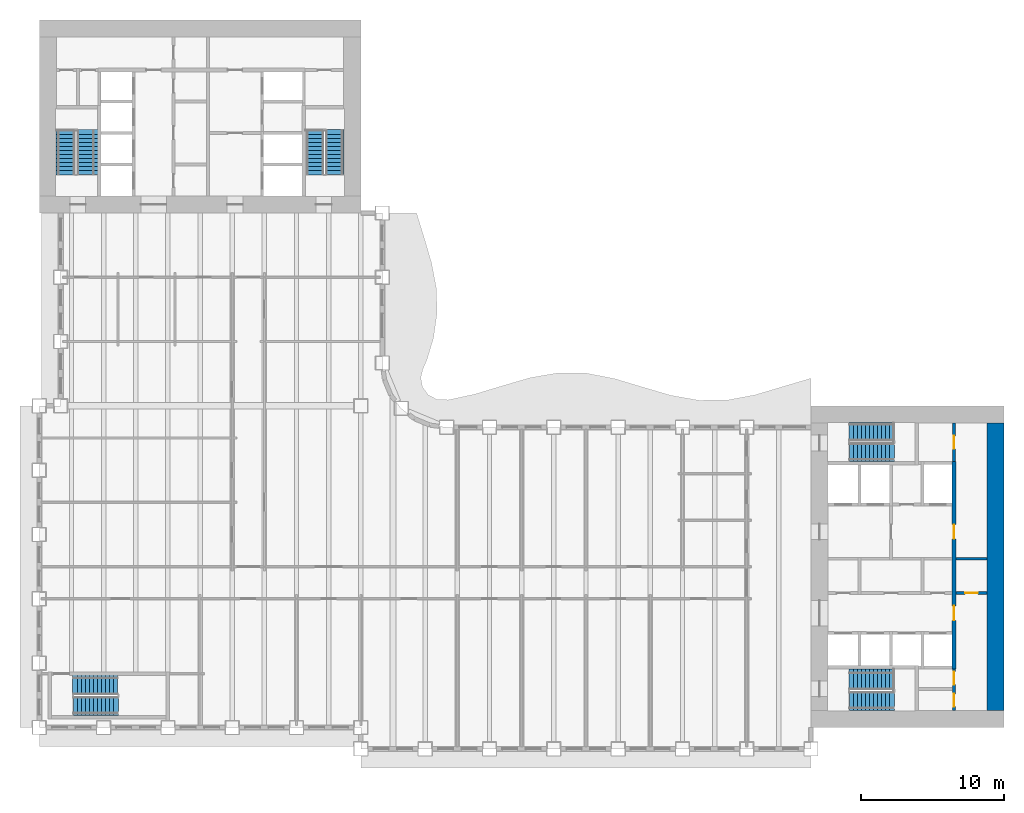
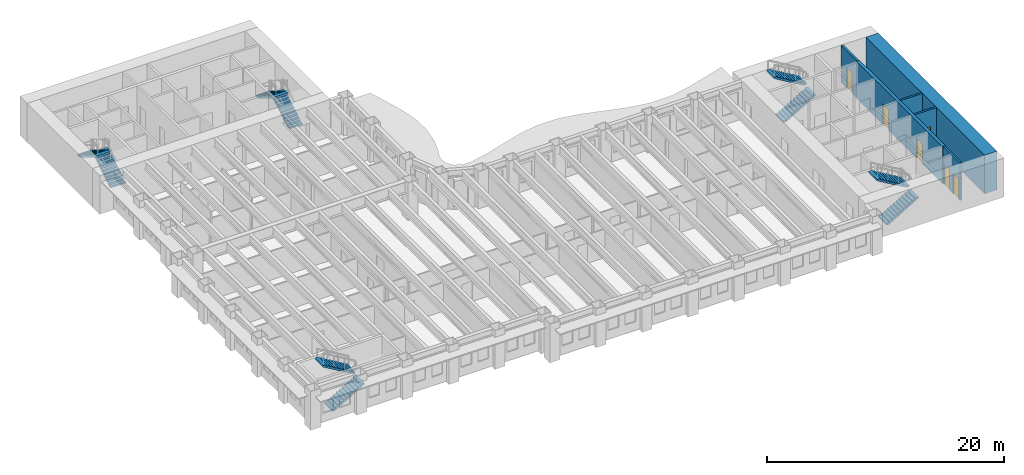
# One storey, part 10 of 16: 10 stair flights, 6 doors, 6 walls, 6 openings, 5 elements without a shape of their own.
"""IFC4 building model written with IfcOpenShell, lengths in metres."""

from ifc_helpers import new_model, si_unit, direction, frame, frame_2d, origin, place, context, subcontext, project, spatial, polyline, rectangle, outline, extrude, material, layer, layer_set, type_object, element, fill, aggregate, save


model = new_model("IFC4")

# Units and contexts
model_context = context("Model", 3, precision=1e-05, world=origin(), true_north=direction((0.0, 1.0)))
body_context = subcontext(model_context, "Body", "Model", "MODEL_VIEW")
ifc_project = project(units=[si_unit("LENGTHUNIT", "METRE"), si_unit("AREAUNIT", "SQUARE_METRE"), si_unit("VOLUMEUNIT", "CUBIC_METRE"), si_unit("PLANEANGLEUNIT", "RADIAN"), si_unit("MASSUNIT", "GRAM", prefix="KILO")], contexts=[model_context])

# Site, building, storey
site_placement = place(None, origin())
site = spatial("IfcSite", under=ifc_project, at=site_placement, CompositionType="ELEMENT")
building_placement = place(site_placement, origin())
building = spatial("IfcBuilding", under=site, at=building_placement, Name="Sennacour Bend Tower", CompositionType="ELEMENT")
storey_placement = place(building_placement, frame((0.0, 0.0, 99.0)))
storey = spatial("IfcBuildingStorey", under=building, at=storey_placement, Name="L22", CompositionType="ELEMENT", Elevation=99.0)

# Wall
ifc_material_1 = material(Name="Concrete C80/95", Category="concrete")
ifc_layer_1 = layer(ifc_material_1, 1.199951171875, Name="Concrete C80/95", Category="concrete")
ifc_layer_set_1 = layer_set([ifc_layer_1], Name="Concrete C80/95")
wall_type_1 = type_object("IfcWallType", Name="Core wall 1200 C80/95", PredefinedType="SHEAR", material=ifc_layer_set_1)
wall_1_placement = place(storey_placement, frame((66.89990234375, 1.199951171875, -0.14990234375), z_axis=(0.0, 0.0, 1.0), x_axis=(0.0, 1.0, 0.0)))
element("IfcWall", 1, at=wall_1_placement, inside=storey, type_object=wall_type_1, Name="Core A wall L22 E", PredefinedType="SHEAR", context=body_context, shape_type="SweptSolid", body=[
    extrude(rectangle(XDim=20.10009765625, YDim=1.199951171875, at=frame_2d((10.050048828125, 0.0))), origin(), (0.0, 0.0, 1.0), 4.0),
])

# Wall, openings, doors
ifc_material_2 = material(Name="Fire-rated plasterboard partition on steel studs", Category="steel")
ifc_layer_2 = layer(ifc_material_2, 0.199951171875, Name="Fire-rated plasterboard partition on steel studs", Category="steel")
ifc_layer_set_2 = layer_set([ifc_layer_2], Name="Fire-rated plasterboard partition on steel studs")
wall_type_2 = type_object("IfcWallType", Name="Rated partition 200", PredefinedType="PARTITIONING", material=ifc_layer_set_2)
wall_2_placement = place(storey_placement, frame((64.0, 1.199951171875, 0.0), z_axis=(0.0, 0.0, 1.0), x_axis=(0.0, 1.0, 0.0)))
wall_2 = element("IfcWall", 2, at=wall_2_placement, inside=storey, type_object=wall_type_2, Name="P-L22-W046", PredefinedType="PARTITIONING", context=body_context, shape_type="SweptSolid", body=[
    extrude(rectangle(XDim=2.900146484375, YDim=0.199951171875, at=frame_2d((1.4501953125, 0.0))), origin(), (0.0, 0.0, 1.0), 3.85009765625),
])
opening_1_placement = place(wall_2_placement, frame((0.25, 0.0, 0.0)))
opening_1 = element("IfcOpeningElement", 3, at=opening_1_placement, cuts=wall_2, Name="Opening SV", PredefinedType="OPENING", context=body_context, shape_type="SweptSolid", body=[
    extrude(rectangle(XDim=0.89990234375, YDim=2.10009765625, at=frame_2d((0.449951171875, 1.050048828125))), frame((0.0, 0.10986328125, 0.0), z_axis=(0.0, -1.0, 0.0), x_axis=(1.0, 0.0, 0.0)), (0.0, 0.0, 1.0), 0.219970703125),
])
opening_2_placement = place(wall_2_placement, frame((1.800048828125, 0.0, 0.0)))
opening_2 = element("IfcOpeningElement", 4, at=opening_2_placement, cuts=wall_2, Name="Opening SV", PredefinedType="OPENING", context=body_context, shape_type="SweptSolid", body=[
    extrude(rectangle(XDim=0.89990234375, YDim=2.10009765625, at=frame_2d((0.449951171875, 1.050048828125))), frame((0.0, 0.10986328125, 0.0), z_axis=(0.0, -1.0, 0.0), x_axis=(1.0, 0.0, 0.0)), (0.0, 0.0, 1.0), 0.219970703125),
])
ifc_material_3 = material(Name="Painted steel", Category="steel")
door_type_1 = type_object("IfcDoorType", Name="DR-SERVICE-900", OperationType="NOTDEFINED", PredefinedType="DOOR", material=ifc_material_3)
door_1_placement = place(opening_1_placement, origin())
door_1 = element("IfcDoor", 5, at=door_1_placement, inside=storey, type_object=door_type_1, Name="Door", OperationType="SINGLE_SWING_LEFT", OverallHeight=2.10009765625, OverallWidth=0.89990234375, PredefinedType="DOOR", context=body_context, shape_type="SweptSolid", body=[
    extrude(rectangle(XDim=0.89990234375, YDim=2.10009765625, at=frame_2d((0.449951171875, 1.050048828125))), frame((0.0, 0.02490234375, 0.0), z_axis=(0.0, -1.0, 0.0), x_axis=(1.0, 0.0, 0.0)), (0.0, 0.0, 1.0), 0.050048828125),
])
fill(opening_1, door_1)
door_2_placement = place(opening_2_placement, origin())
door_2 = element("IfcDoor", 6, at=door_2_placement, inside=storey, type_object=door_type_1, Name="Door", OperationType="SINGLE_SWING_RIGHT", OverallHeight=2.10009765625, OverallWidth=0.89990234375, PredefinedType="DOOR", context=body_context, shape_type="SweptSolid", body=[
    extrude(rectangle(XDim=0.89990234375, YDim=2.10009765625, at=frame_2d((0.449951171875, 1.050048828125))), frame((0.0, 0.02490234375, 0.0), z_axis=(0.0, -1.0, 0.0), x_axis=(1.0, 0.0, 0.0)), (0.0, 0.0, 1.0), 0.050048828125),
])
fill(opening_2, door_2)

# Wall, opening, door
wall_3_placement = place(storey_placement, frame((64.0, 18.60009765625, 0.0), z_axis=(0.0, 0.0, 1.0), x_axis=(0.0, 1.0, 0.0)))
wall_3 = element("IfcWall", 7, at=wall_3_placement, inside=storey, type_object=wall_type_2, Name="P-L22-W048", PredefinedType="PARTITIONING", context=body_context, shape_type="SweptSolid", body=[
    extrude(rectangle(XDim=2.699951171875, YDim=0.199951171875, at=frame_2d((1.35009765625, 0.0))), origin(), (0.0, 0.0, 1.0), 3.85009765625),
])
opening_3_placement = place(wall_3_placement, frame((0.89990234375, 0.0, 0.0)))
opening_3 = element("IfcOpeningElement", 8, at=opening_3_placement, cuts=wall_3, Name="Opening WD", PredefinedType="OPENING", context=body_context, shape_type="SweptSolid", body=[
    extrude(rectangle(XDim=0.89990234375, YDim=2.10009765625, at=frame_2d((0.449951171875, 1.050048828125))), frame((0.0, 0.10986328125, 0.0), z_axis=(0.0, -1.0, 0.0), x_axis=(1.0, 0.0, 0.0)), (0.0, 0.0, 1.0), 0.219970703125),
])
ifc_material_4 = material(Name="Timber", Category="wood")
door_type_2 = type_object("IfcDoorType", Name="DR-WC-900", OperationType="NOTDEFINED", PredefinedType="DOOR", material=ifc_material_4)
door_3_placement = place(opening_3_placement, origin())
door_3 = element("IfcDoor", 9, at=door_3_placement, inside=storey, type_object=door_type_2, Name="Door", OperationType="SINGLE_SWING_LEFT", OverallHeight=2.10009765625, OverallWidth=0.89990234375, PredefinedType="DOOR", context=body_context, shape_type="SweptSolid", body=[
    extrude(rectangle(XDim=0.89990234375, YDim=2.10009765625, at=frame_2d((0.449951171875, 1.050048828125))), frame((0.0, 0.02490234375, 0.0), z_axis=(0.0, -1.0, 0.0), x_axis=(1.0, 0.0, 0.0)), (0.0, 0.0, 1.0), 0.050048828125),
])
fill(opening_3, door_3)

wall_4_placement = place(storey_placement, frame((64.14990234375, 9.39990234375, 0.0), z_axis=(0.0, 0.0, 1.0), x_axis=(1.0, 0.0, 0.0)))
wall_4 = element("IfcWall", 10, at=wall_4_placement, inside=storey, type_object=wall_type_2, Name="P-L22-W059d", PredefinedType="PARTITIONING", context=body_context, shape_type="SweptSolid", body=[
    extrude(rectangle(XDim=2.150146484375, YDim=0.199951171875, at=frame_2d((1.0751953125, 0.0))), origin(), (0.0, 0.0, 1.0), 3.85009765625),
])
opening_4_placement = place(wall_4_placement, frame((0.625, 0.0, 0.0)))
opening_4 = element("IfcOpeningElement", 11, at=opening_4_placement, cuts=wall_4, Name="Opening SV", PredefinedType="OPENING", context=body_context, shape_type="SweptSolid", body=[
    extrude(rectangle(XDim=0.89990234375, YDim=2.10009765625, at=frame_2d((0.449951171875, 1.050048828125))), frame((0.0, 0.10986328125, 0.0), z_axis=(0.0, -1.0, 0.0), x_axis=(1.0, 0.0, 0.0)), (0.0, 0.0, 1.0), 0.219970703125),
])
door_4_placement = place(opening_4_placement, origin())
door_4 = element("IfcDoor", 12, at=door_4_placement, inside=storey, type_object=door_type_1, Name="Door", OperationType="SINGLE_SWING_LEFT", OverallHeight=2.10009765625, OverallWidth=0.89990234375, PredefinedType="DOOR", context=body_context, shape_type="SweptSolid", body=[
    extrude(rectangle(XDim=0.89990234375, YDim=2.10009765625, at=frame_2d((0.449951171875, 1.050048828125))), frame((0.0, 0.02490234375, 0.0), z_axis=(0.0, -1.0, 0.0), x_axis=(1.0, 0.0, 0.0)), (0.0, 0.0, 1.0), 0.050048828125),
])
fill(opening_4, door_4)

# Wall
wall_5_placement = place(storey_placement, frame((64.14990234375, 11.800048828125, 0.0), z_axis=(0.0, 0.0, 1.0), x_axis=(1.0, 0.0, 0.0)))
element("IfcWall", 13, at=wall_5_placement, inside=storey, type_object=wall_type_2, Name="P-L22-W061e", PredefinedType="PARTITIONING", context=body_context, shape_type="SweptSolid", body=[
    extrude(rectangle(XDim=2.150146484375, YDim=0.199951171875, at=frame_2d((1.0751953125, 0.0))), origin(), (0.0, 0.0, 1.0), 3.85009765625),
])

# Wall, openings, doors
ifc_material_5 = material(Name="Concrete C60/75", Category="concrete")
ifc_layer_3 = layer(ifc_material_5, 0.300048828125, Name="Concrete C60/75", Category="concrete")
ifc_layer_set_3 = layer_set([ifc_layer_3], Name="Concrete C60/75")
wall_type_3 = type_object("IfcWallType", Name="Spine wall 300", PredefinedType="SHEAR", material=ifc_layer_set_3)
wall_6_placement = place(storey_placement, frame((64.0, 4.10009765625, 0.0), z_axis=(0.0, 0.0, 1.0), x_axis=(0.0, 1.0, 0.0)))
wall_6 = element("IfcWall", 14, at=wall_6_placement, inside=storey, type_object=wall_type_3, Name="P-L22-W047", PredefinedType="SHEAR", context=body_context, shape_type="SweptSolid", body=[
    extrude(rectangle(XDim=14.5, YDim=0.300048828125, at=frame_2d((7.25, 0.0))), origin(), (0.0, 0.0, 1.0), 3.85009765625),
])
opening_5_placement = place(wall_6_placement, frame((3.39990234375, 0.0, 0.0)))
opening_5 = element("IfcOpeningElement", 15, at=opening_5_placement, cuts=wall_6, Name="Opening CD2", PredefinedType="OPENING", context=body_context, shape_type="SweptSolid", body=[
    extrude(rectangle(XDim=1.0, YDim=2.10009765625, at=frame_2d((0.5, 1.050048828125))), frame((0.0, 0.16015625, 0.0), z_axis=(0.0, -1.0, 0.0), x_axis=(1.0, 0.0, 0.0)), (0.0, 0.0, 1.0), 0.320068359375),
])
opening_6_placement = place(wall_6_placement, frame((9.099853515625, 0.0, 0.0)))
opening_6 = element("IfcOpeningElement", 16, at=opening_6_placement, cuts=wall_6, Name="Opening CD2", PredefinedType="OPENING", context=body_context, shape_type="SweptSolid", body=[
    extrude(rectangle(XDim=1.0, YDim=2.10009765625, at=frame_2d((0.5, 1.050048828125))), frame((0.0, 0.16015625, 0.0), z_axis=(0.0, -1.0, 0.0), x_axis=(1.0, 0.0, 0.0)), (0.0, 0.0, 1.0), 0.320068359375),
])
door_type_3 = type_object("IfcDoorType", Name="DR-LOBBY-1000", OperationType="NOTDEFINED", PredefinedType="DOOR", material=ifc_material_3)
door_5_placement = place(opening_5_placement, origin())
door_5 = element("IfcDoor", 17, at=door_5_placement, inside=storey, type_object=door_type_3, Name="Door", OperationType="SINGLE_SWING_LEFT", OverallHeight=2.10009765625, OverallWidth=1.0, PredefinedType="DOOR", context=body_context, shape_type="SweptSolid", body=[
    extrude(rectangle(XDim=1.0, YDim=2.10009765625, at=frame_2d((0.5, 1.050048828125))), frame((0.0, 0.02490234375, 0.0), z_axis=(0.0, -1.0, 0.0), x_axis=(1.0, 0.0, 0.0)), (0.0, 0.0, 1.0), 0.050048828125),
])
fill(opening_5, door_5)
door_6_placement = place(opening_6_placement, origin())
door_6 = element("IfcDoor", 18, at=door_6_placement, inside=storey, type_object=door_type_3, Name="Door", OperationType="SINGLE_SWING_RIGHT", OverallHeight=2.10009765625, OverallWidth=1.0, PredefinedType="DOOR", context=body_context, shape_type="SweptSolid", body=[
    extrude(rectangle(XDim=1.0, YDim=2.10009765625, at=frame_2d((0.5, 1.050048828125))), frame((0.0, 0.02490234375, 0.0), z_axis=(0.0, -1.0, 0.0), x_axis=(1.0, 0.0, 0.0)), (0.0, 0.0, 1.0), 0.050048828125),
])
fill(opening_6, door_6)

# Stair, stair flights
ifc_material_6 = material(Name="Concrete C40/50", Category="concrete")
stair_type = type_object("IfcStairType", Name="ST-DOGLEG", PredefinedType="HALF_TURN_STAIR", material=ifc_material_6)
stair_1_placement = place(storey_placement, origin())
stair_1 = element("IfcStair", 19, at=stair_1_placement, inside=storey, type_object=stair_type, Name="L22 Exit stair A1", PredefinedType="HALF_TURN_STAIR")
stair_flight_type = type_object("IfcStairFlightType", Name="SFL-RC", PredefinedType="STRAIGHT", material=ifc_material_6)
stair_flight_1_placement = place(storey_placement, frame((56.699951171875, 1.8349609375, 0.0), z_axis=(0.0, 0.0, 1.0), x_axis=(1.0, 0.0, 0.0)))
stair_flight_1 = element("IfcStairFlight", 20, at=stair_flight_1_placement, type_object=stair_flight_type, Name="SA1 flight 1", NumberOfRisers=12, NumberOfTreads=11, PredefinedType="STRAIGHT", RiserHeight=0.166666667, TreadLength=0.28, context=body_context, shape_type="SweptSolid", body=[
    extrude(outline(polyline([(0.0, 0.0), (0.0, 0.166748046875), (0.280029296875, 0.166748046875), (0.280029296875, 0.333251953125), (0.56005859375, 0.333251953125), (0.56005859375, 0.5), (0.840087890625, 0.5), (0.840087890625, 0.666748046875), (1.1201171875, 0.666748046875), (1.1201171875, 0.833251953125), (1.39990234375, 0.833251953125), (1.39990234375, 1.0), (1.679931640625, 1.0), (1.679931640625, 1.166748046875), (1.9599609375, 1.166748046875), (1.9599609375, 1.333251953125), (2.239990234375, 1.333251953125), (2.239990234375, 1.5), (2.52001953125, 1.5), (2.52001953125, 1.666748046875), (2.800048828125, 1.666748046875), (2.800048828125, 1.833251953125), (3.080078125, 1.833251953125), (3.139892578125, 1.833251953125), (3.139892578125, 1.658935546875), (3.080078125, 1.658935546875), (0.29296875, 0.0), (0.0, 0.0)])), frame((0.0, 0.6650390625, 0.0), z_axis=(0.0, -1.0, 0.0), x_axis=(1.0, 0.0, 0.0)), (0.0, 0.0, 1.0), 1.330078125),
])
stair_flight_2_placement = place(storey_placement, frame((59.780029296875, 3.37744140625, 2.0), z_axis=(0.0, 0.0, 1.0), x_axis=(-1.0, 0.0, 0.0)))
stair_flight_2 = element("IfcStairFlight", 21, at=stair_flight_2_placement, type_object=stair_flight_type, Name="SA1 flight 2", NumberOfRisers=12, NumberOfTreads=11, PredefinedType="STRAIGHT", RiserHeight=0.166666667, TreadLength=0.28, context=body_context, shape_type="SweptSolid", body=[
    extrude(outline(polyline([(0.0, 0.0), (0.0, 0.166748046875), (0.280029296875, 0.166748046875), (0.280029296875, 0.333251953125), (0.56005859375, 0.333251953125), (0.56005859375, 0.5), (0.840087890625, 0.5), (0.840087890625, 0.666748046875), (1.1201171875, 0.666748046875), (1.1201171875, 0.833251953125), (1.39990234375, 0.833251953125), (1.39990234375, 1.0), (1.679931640625, 1.0), (1.679931640625, 1.166748046875), (1.9599609375, 1.166748046875), (1.9599609375, 1.333251953125), (2.239990234375, 1.333251953125), (2.239990234375, 1.5), (2.52001953125, 1.5), (2.52001953125, 1.666748046875), (2.800048828125, 1.666748046875), (2.800048828125, 1.833251953125), (3.080078125, 1.833251953125), (3.139892578125, 1.833251953125), (3.139892578125, 1.658935546875), (3.080078125, 1.658935546875), (0.29296875, 0.0), (0.0, 0.0)])), frame((0.0, 0.7275390625, 0.0), z_axis=(0.0, -1.0, 0.0), x_axis=(1.0, 0.0, 0.0)), (0.0, 0.0, 1.0), 1.455078125),
])
aggregate(stair_1, [stair_flight_1, stair_flight_2])

stair_2_placement = place(storey_placement, origin())
stair_2 = element("IfcStair", 22, at=stair_2_placement, inside=storey, type_object=stair_type, Name="L22 Exit stair A2", PredefinedType="HALF_TURN_STAIR")
stair_flight_3_placement = place(storey_placement, frame((56.699951171875, 19.24755859375, 0.0), z_axis=(0.0, 0.0, 1.0), x_axis=(1.0, 0.0, 0.0)))
stair_flight_3 = element("IfcStairFlight", 23, at=stair_flight_3_placement, type_object=stair_flight_type, Name="SA2 flight 1", NumberOfRisers=12, NumberOfTreads=11, PredefinedType="STRAIGHT", RiserHeight=0.166666667, TreadLength=0.28, context=body_context, shape_type="SweptSolid", body=[
    extrude(outline(polyline([(0.0, 0.0), (0.0, 0.166748046875), (0.280029296875, 0.166748046875), (0.280029296875, 0.333251953125), (0.56005859375, 0.333251953125), (0.56005859375, 0.5), (0.840087890625, 0.5), (0.840087890625, 0.666748046875), (1.1201171875, 0.666748046875), (1.1201171875, 0.833251953125), (1.39990234375, 0.833251953125), (1.39990234375, 1.0), (1.679931640625, 1.0), (1.679931640625, 1.166748046875), (1.9599609375, 1.166748046875), (1.9599609375, 1.333251953125), (2.239990234375, 1.333251953125), (2.239990234375, 1.5), (2.52001953125, 1.5), (2.52001953125, 1.666748046875), (2.800048828125, 1.666748046875), (2.800048828125, 1.833251953125), (3.080078125, 1.833251953125), (3.139892578125, 1.833251953125), (3.139892578125, 1.658935546875), (3.080078125, 1.658935546875), (0.29296875, 0.0), (0.0, 0.0)])), frame((0.0, 0.65234375, 0.0), z_axis=(0.0, -1.0, 0.0), x_axis=(1.0, 0.0, 0.0)), (0.0, 0.0, 1.0), 1.304931640625),
])
stair_flight_4_placement = place(storey_placement, frame((59.780029296875, 20.68994140625, 2.0), z_axis=(0.0, 0.0, 1.0), x_axis=(-1.0, 0.0, 0.0)))
stair_flight_4 = element("IfcStairFlight", 24, at=stair_flight_4_placement, type_object=stair_flight_type, Name="SA2 flight 2", NumberOfRisers=12, NumberOfTreads=11, PredefinedType="STRAIGHT", RiserHeight=0.166666667, TreadLength=0.28, context=body_context, shape_type="SweptSolid", body=[
    extrude(outline(polyline([(0.0, 0.0), (0.0, 0.166748046875), (0.280029296875, 0.166748046875), (0.280029296875, 0.333251953125), (0.56005859375, 0.333251953125), (0.56005859375, 0.5), (0.840087890625, 0.5), (0.840087890625, 0.666748046875), (1.1201171875, 0.666748046875), (1.1201171875, 0.833251953125), (1.39990234375, 0.833251953125), (1.39990234375, 1.0), (1.679931640625, 1.0), (1.679931640625, 1.166748046875), (1.9599609375, 1.166748046875), (1.9599609375, 1.333251953125), (2.239990234375, 1.333251953125), (2.239990234375, 1.5), (2.52001953125, 1.5), (2.52001953125, 1.666748046875), (2.800048828125, 1.666748046875), (2.800048828125, 1.833251953125), (3.080078125, 1.833251953125), (3.139892578125, 1.833251953125), (3.139892578125, 1.658935546875), (3.080078125, 1.658935546875), (0.29296875, 0.0), (0.0, 0.0)])), frame((0.0, 0.64013671875, 0.0), z_axis=(0.0, -1.0, 0.0), x_axis=(1.0, 0.0, 0.0)), (0.0, 0.0, 1.0), 1.280029296875),
])
aggregate(stair_2, [stair_flight_3, stair_flight_4])

stair_3_placement = place(storey_placement, origin())
stair_3 = element("IfcStair", 25, at=stair_3_placement, inside=storey, type_object=stair_type, Name="L22 Exit stair B1", PredefinedType="HALF_TURN_STAIR")
stair_flight_5_placement = place(storey_placement, frame((3.37744140625, 38.699951171875, 0.0), z_axis=(0.0, 0.0, 1.0), x_axis=(0.0, 1.0, 0.0)))
stair_flight_5 = element("IfcStairFlight", 26, at=stair_flight_5_placement, type_object=stair_flight_type, Name="SB1 flight 1", NumberOfRisers=12, NumberOfTreads=11, PredefinedType="STRAIGHT", RiserHeight=0.166666667, TreadLength=0.28, context=body_context, shape_type="SweptSolid", body=[
    extrude(outline(polyline([(0.0, 0.0), (0.0, 0.166748046875), (0.280029296875, 0.166748046875), (0.280029296875, 0.333251953125), (0.56005859375, 0.333251953125), (0.56005859375, 0.5), (0.840087890625, 0.5), (0.840087890625, 0.666748046875), (1.1201171875, 0.666748046875), (1.1201171875, 0.833251953125), (1.39990234375, 0.833251953125), (1.39990234375, 1.0), (1.679931640625, 1.0), (1.679931640625, 1.166748046875), (1.9599609375, 1.166748046875), (1.9599609375, 1.333251953125), (2.239990234375, 1.333251953125), (2.239990234375, 1.5), (2.52001953125, 1.5), (2.52001953125, 1.666748046875), (2.800048828125, 1.666748046875), (2.800048828125, 1.833251953125), (3.080078125, 1.833251953125), (3.139892578125, 1.833251953125), (3.139892578125, 1.658935546875), (3.080078125, 1.658935546875), (0.29296875, 0.0), (0.0, 0.0)])), frame((0.0, 0.7275390625, 0.0), z_axis=(0.0, -1.0, 0.0), x_axis=(1.0, 0.0, 0.0)), (0.0, 0.0, 1.0), 1.455078125),
])
stair_flight_6_placement = place(storey_placement, frame((1.8349609375, 41.780029296875, 2.0), z_axis=(0.0, 0.0, 1.0), x_axis=(0.0, -1.0, 0.0)))
stair_flight_6 = element("IfcStairFlight", 27, at=stair_flight_6_placement, type_object=stair_flight_type, Name="SB1 flight 2", NumberOfRisers=12, NumberOfTreads=11, PredefinedType="STRAIGHT", RiserHeight=0.166666667, TreadLength=0.28, context=body_context, shape_type="SweptSolid", body=[
    extrude(outline(polyline([(0.0, 0.0), (0.0, 0.166748046875), (0.280029296875, 0.166748046875), (0.280029296875, 0.333251953125), (0.56005859375, 0.333251953125), (0.56005859375, 0.5), (0.840087890625, 0.5), (0.840087890625, 0.666748046875), (1.1201171875, 0.666748046875), (1.1201171875, 0.833251953125), (1.39990234375, 0.833251953125), (1.39990234375, 1.0), (1.679931640625, 1.0), (1.679931640625, 1.166748046875), (1.9599609375, 1.166748046875), (1.9599609375, 1.333251953125), (2.239990234375, 1.333251953125), (2.239990234375, 1.5), (2.52001953125, 1.5), (2.52001953125, 1.666748046875), (2.800048828125, 1.666748046875), (2.800048828125, 1.833251953125), (3.080078125, 1.833251953125), (3.139892578125, 1.833251953125), (3.139892578125, 1.658935546875), (3.080078125, 1.658935546875), (0.29296875, 0.0), (0.0, 0.0)])), frame((0.0, 0.6650390625, 0.0), z_axis=(0.0, -1.0, 0.0), x_axis=(1.0, 0.0, 0.0)), (0.0, 0.0, 1.0), 1.330078125),
])
aggregate(stair_3, [stair_flight_5, stair_flight_6])

stair_4_placement = place(storey_placement, origin())
stair_4 = element("IfcStair", 28, at=stair_4_placement, inside=storey, type_object=stair_type, Name="L22 Exit stair B2", PredefinedType="HALF_TURN_STAIR")
stair_flight_7_placement = place(storey_placement, frame((20.68994140625, 38.699951171875, 0.0), z_axis=(0.0, 0.0, 1.0), x_axis=(0.0, 1.0, 0.0)))
stair_flight_7 = element("IfcStairFlight", 29, at=stair_flight_7_placement, type_object=stair_flight_type, Name="SB2 flight 1", NumberOfRisers=12, NumberOfTreads=11, PredefinedType="STRAIGHT", RiserHeight=0.166666667, TreadLength=0.28, context=body_context, shape_type="SweptSolid", body=[
    extrude(outline(polyline([(0.0, 0.0), (0.0, 0.166748046875), (0.280029296875, 0.166748046875), (0.280029296875, 0.333251953125), (0.56005859375, 0.333251953125), (0.56005859375, 0.5), (0.840087890625, 0.5), (0.840087890625, 0.666748046875), (1.1201171875, 0.666748046875), (1.1201171875, 0.833251953125), (1.39990234375, 0.833251953125), (1.39990234375, 1.0), (1.679931640625, 1.0), (1.679931640625, 1.166748046875), (1.9599609375, 1.166748046875), (1.9599609375, 1.333251953125), (2.239990234375, 1.333251953125), (2.239990234375, 1.5), (2.52001953125, 1.5), (2.52001953125, 1.666748046875), (2.800048828125, 1.666748046875), (2.800048828125, 1.833251953125), (3.080078125, 1.833251953125), (3.139892578125, 1.833251953125), (3.139892578125, 1.658935546875), (3.080078125, 1.658935546875), (0.29296875, 0.0), (0.0, 0.0)])), frame((0.0, 0.64013671875, 0.0), z_axis=(0.0, -1.0, 0.0), x_axis=(1.0, 0.0, 0.0)), (0.0, 0.0, 1.0), 1.280029296875),
])
stair_flight_8_placement = place(storey_placement, frame((19.24755859375, 41.780029296875, 2.0), z_axis=(0.0, 0.0, 1.0), x_axis=(0.0, -1.0, 0.0)))
stair_flight_8 = element("IfcStairFlight", 30, at=stair_flight_8_placement, type_object=stair_flight_type, Name="SB2 flight 2", NumberOfRisers=12, NumberOfTreads=11, PredefinedType="STRAIGHT", RiserHeight=0.166666667, TreadLength=0.28, context=body_context, shape_type="SweptSolid", body=[
    extrude(outline(polyline([(0.0, 0.0), (0.0, 0.166748046875), (0.280029296875, 0.166748046875), (0.280029296875, 0.333251953125), (0.56005859375, 0.333251953125), (0.56005859375, 0.5), (0.840087890625, 0.5), (0.840087890625, 0.666748046875), (1.1201171875, 0.666748046875), (1.1201171875, 0.833251953125), (1.39990234375, 0.833251953125), (1.39990234375, 1.0), (1.679931640625, 1.0), (1.679931640625, 1.166748046875), (1.9599609375, 1.166748046875), (1.9599609375, 1.333251953125), (2.239990234375, 1.333251953125), (2.239990234375, 1.5), (2.52001953125, 1.5), (2.52001953125, 1.666748046875), (2.800048828125, 1.666748046875), (2.800048828125, 1.833251953125), (3.080078125, 1.833251953125), (3.139892578125, 1.833251953125), (3.139892578125, 1.658935546875), (3.080078125, 1.658935546875), (0.29296875, 0.0), (0.0, 0.0)])), frame((0.0, 0.65234375, 0.0), z_axis=(0.0, -1.0, 0.0), x_axis=(1.0, 0.0, 0.0)), (0.0, 0.0, 1.0), 1.304931640625),
])
aggregate(stair_4, [stair_flight_7, stair_flight_8])

stair_5_placement = place(storey_placement, origin())
stair_5 = element("IfcStair", 31, at=stair_5_placement, inside=storey, type_object=stair_type, Name="L22 Exit stair K1", PredefinedType="HALF_TURN_STAIR")
stair_flight_9_placement = place(storey_placement, frame((2.39990234375, 1.485107421875, 0.0), z_axis=(0.0, 0.0, 1.0), x_axis=(1.0, 0.0, 0.0)))
stair_flight_9 = element("IfcStairFlight", 32, at=stair_flight_9_placement, type_object=stair_flight_type, Name="SK1 flight 1", NumberOfRisers=12, NumberOfTreads=11, PredefinedType="STRAIGHT", RiserHeight=0.166666667, TreadLength=0.28, context=body_context, shape_type="SweptSolid", body=[
    extrude(outline(polyline([(0.0, 0.0), (0.0, 0.166748046875), (0.280029296875, 0.166748046875), (0.280029296875, 0.333251953125), (0.56005859375, 0.333251953125), (0.56005859375, 0.5), (0.840087890625, 0.5), (0.840087890625, 0.666748046875), (1.1201171875, 0.666748046875), (1.1201171875, 0.833251953125), (1.39990234375, 0.833251953125), (1.39990234375, 1.0), (1.679931640625, 1.0), (1.679931640625, 1.166748046875), (1.9599609375, 1.166748046875), (1.9599609375, 1.333251953125), (2.239990234375, 1.333251953125), (2.239990234375, 1.5), (2.52001953125, 1.5), (2.52001953125, 1.666748046875), (2.800048828125, 1.666748046875), (2.800048828125, 1.833251953125), (3.080078125, 1.833251953125), (3.139892578125, 1.833251953125), (3.139892578125, 1.658935546875), (3.080078125, 1.658935546875), (0.29296875, 0.0), (0.0, 0.0)])), frame((0.0, 0.6650390625, 0.0), z_axis=(0.0, -1.0, 0.0), x_axis=(1.0, 0.0, 0.0)), (0.0, 0.0, 1.0), 1.330078125),
])
stair_flight_10_placement = place(storey_placement, frame((5.47998046875, 2.9775390625, 2.0), z_axis=(0.0, 0.0, 1.0), x_axis=(-1.0, 0.0, 0.0)))
stair_flight_10 = element("IfcStairFlight", 33, at=stair_flight_10_placement, type_object=stair_flight_type, Name="SK1 flight 2", NumberOfRisers=12, NumberOfTreads=11, PredefinedType="STRAIGHT", RiserHeight=0.166666667, TreadLength=0.28, context=body_context, shape_type="SweptSolid", body=[
    extrude(outline(polyline([(0.0, 0.0), (0.0, 0.166748046875), (0.280029296875, 0.166748046875), (0.280029296875, 0.333251953125), (0.56005859375, 0.333251953125), (0.56005859375, 0.5), (0.840087890625, 0.5), (0.840087890625, 0.666748046875), (1.1201171875, 0.666748046875), (1.1201171875, 0.833251953125), (1.39990234375, 0.833251953125), (1.39990234375, 1.0), (1.679931640625, 1.0), (1.679931640625, 1.166748046875), (1.9599609375, 1.166748046875), (1.9599609375, 1.333251953125), (2.239990234375, 1.333251953125), (2.239990234375, 1.5), (2.52001953125, 1.5), (2.52001953125, 1.666748046875), (2.800048828125, 1.666748046875), (2.800048828125, 1.833251953125), (3.080078125, 1.833251953125), (3.139892578125, 1.833251953125), (3.139892578125, 1.658935546875), (3.080078125, 1.658935546875), (0.29296875, 0.0), (0.0, 0.0)])), frame((0.0, 0.677490234375, 0.0), z_axis=(0.0, -1.0, 0.0), x_axis=(1.0, 0.0, 0.0)), (0.0, 0.0, 1.0), 1.35498046875),
])
aggregate(stair_5, [stair_flight_9, stair_flight_10])

save(model, "model.ifc")
